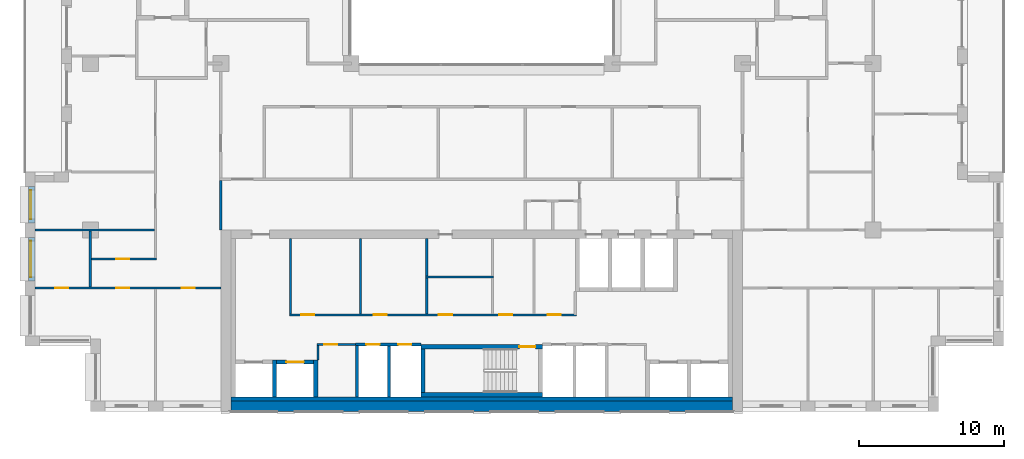
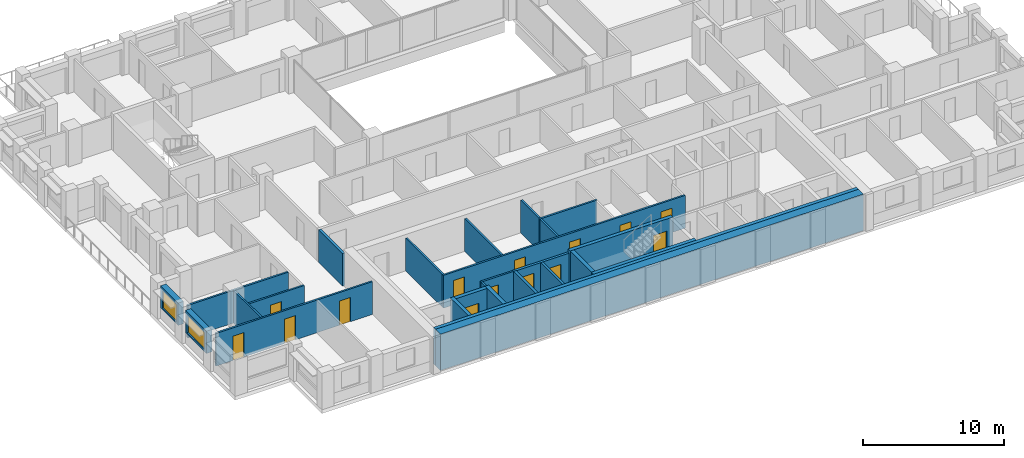
# One storey, part 8 of 15: 26 walls, 14 doors, 2 windows, 16 openings.
"""IFC4 building model written with IfcOpenShell, lengths in metres."""

from ifc_helpers import new_model, si_unit, direction, frame, frame_2d, origin, place, context, subcontext, project, spatial, rectangle, extrude, material, layer, layer_set, type_object, element, fill, save


model = new_model("IFC4")

# Units and contexts
model_context = context("Model", 3, precision=1e-05, world=origin(), true_north=direction((0.0, 1.0)))
body_context = subcontext(model_context, "Body", "Model", "MODEL_VIEW")
ifc_project = project(units=[si_unit("LENGTHUNIT", "METRE"), si_unit("AREAUNIT", "SQUARE_METRE"), si_unit("VOLUMEUNIT", "CUBIC_METRE"), si_unit("PLANEANGLEUNIT", "RADIAN"), si_unit("MASSUNIT", "GRAM", prefix="KILO")], contexts=[model_context])

# Site, building, storey
site_placement = place(None, origin())
site = spatial("IfcSite", under=ifc_project, at=site_placement, CompositionType="ELEMENT")
building_placement = place(site_placement, origin())
building = spatial("IfcBuilding", under=site, at=building_placement, Name="Brigalow Station Residences", CompositionType="ELEMENT")
storey_placement = place(building_placement, frame((0.0, 0.0, 147.60009765625)))
storey = spatial("IfcBuildingStorey", under=building, at=storey_placement, Name="L42", CompositionType="ELEMENT", Elevation=147.60009765625)

# Wall, opening, window
ifc_material_1 = material(Name="Clay brick masonry", Category="masonry")
ifc_layer_1 = layer(ifc_material_1, 0.449951171875)
ifc_layer_set_1 = layer_set([ifc_layer_1], Name="BRICK INFILL WALL 450")
wall_type_1 = type_object("IfcWallType", Name="BRICK INFILL WALL 450", PredefinedType="SOLIDWALL", material=ifc_layer_set_1)
wall_1_placement = place(storey_placement, frame((4.97509765625, 15.5, 0.89990234375), z_axis=(0.0, 0.0, 1.0), x_axis=(0.0, -1.0, 0.0)))
wall_1 = element("IfcWall", 1, at=wall_1_placement, inside=storey, type_object=wall_type_1, Name="L42/ewall/W-L42-45", PredefinedType="SOLIDWALL", context=body_context, shape_type="SweptSolid", body=[
    extrude(rectangle(XDim=2.5, YDim=0.449951171875, at=frame_2d((1.25, 0.0))), origin(), (0.0, 0.0, 1.0), 1.929931640625),
])
opening_1_placement = place(wall_1_placement, frame((0.25, 0.0, 0.14990234375)))
opening_1 = element("IfcOpeningElement", 2, at=opening_1_placement, cuts=wall_1, Name="Opening WT-7", PredefinedType="OPENING", context=body_context, shape_type="SweptSolid", body=[
    extrude(rectangle(XDim=2.0, YDim=1.5, at=frame_2d((1.0, 0.75))), frame((0.0, 0.23486328125, 0.0), z_axis=(0.0, -1.0, 0.0), x_axis=(1.0, 0.0, 0.0)), (0.0, 0.0, 1.0), 0.469970703125),
])
ifc_material_2 = material(Name="Anodised aluminium frame with double glazing", Category="aluminium")
window_type_1 = type_object("IfcWindowType", Name="WINDOW 2000x1500", PartitioningType="SINGLE_PANEL", PredefinedType="WINDOW", material=ifc_material_2)
window_1_placement = place(opening_1_placement, origin())
window_1 = element("IfcWindow", 3, at=window_1_placement, inside=storey, type_object=window_type_1, Name="L42/window/W-L42-45", OverallHeight=1.5, OverallWidth=2.0, PartitioningType="SINGLE_PANEL", PredefinedType="WINDOW", context=body_context, shape_type="SweptSolid", body=[
    extrude(rectangle(XDim=2.0, YDim=1.5, at=frame_2d((1.0, 0.75))), frame((0.0, -0.06494140625, 0.0), z_axis=(0.0, -1.0, 0.0), x_axis=(1.0, 0.0, 0.0)), (0.0, 0.0, 1.0), 0.06005859375),
])
fill(opening_1, window_1)

wall_2_placement = place(storey_placement, frame((4.97509765625, 12.0, 0.89990234375), z_axis=(0.0, 0.0, 1.0), x_axis=(0.0, -1.0, 0.0)))
wall_2 = element("IfcWall", 4, at=wall_2_placement, inside=storey, type_object=wall_type_1, Name="L42/ewall/W-L42-46", PredefinedType="SOLIDWALL", context=body_context, shape_type="SweptSolid", body=[
    extrude(rectangle(XDim=3.0, YDim=0.449951171875, at=frame_2d((1.5, 0.0))), origin(), (0.0, 0.0, 1.0), 1.929931640625),
])
opening_2_placement = place(wall_2_placement, frame((0.25, 0.0, 0.14990234375)))
opening_2 = element("IfcOpeningElement", 5, at=opening_2_placement, cuts=wall_2, Name="Opening WT-5", PredefinedType="OPENING", context=body_context, shape_type="SweptSolid", body=[
    extrude(rectangle(XDim=2.5, YDim=1.5, at=frame_2d((1.25, 0.75))), frame((0.0, 0.23486328125, 0.0), z_axis=(0.0, -1.0, 0.0), x_axis=(1.0, 0.0, 0.0)), (0.0, 0.0, 1.0), 0.469970703125),
])
ifc_material_3 = material(Name="Anodised aluminium frame with double glazing", Category="aluminium")
window_type_2 = type_object("IfcWindowType", Name="WINDOW 2500x1500", PartitioningType="SINGLE_PANEL", PredefinedType="WINDOW", material=ifc_material_3)
window_2_placement = place(opening_2_placement, origin())
window_2 = element("IfcWindow", 6, at=window_2_placement, inside=storey, type_object=window_type_2, Name="L42/window/W-L42-46", OverallHeight=1.5, OverallWidth=2.5, PartitioningType="SINGLE_PANEL", PredefinedType="WINDOW", context=body_context, shape_type="SweptSolid", body=[
    extrude(rectangle(XDim=2.5, YDim=1.5, at=frame_2d((1.25, 0.75))), frame((0.0, -0.06494140625, 0.0), z_axis=(0.0, -1.0, 0.0), x_axis=(1.0, 0.0, 0.0)), (0.0, 0.0, 1.0), 0.06005859375),
])
fill(opening_2, window_2)

# Wall
ifc_material_4 = material(Name="Concrete C65", Category="concrete")
ifc_layer_2 = layer(ifc_material_4, 0.300048828125)
ifc_layer_set_2 = layer_set([ifc_layer_2], Name="CORE SHEAR WALL 300 C65")
wall_type_2 = type_object("IfcWallType", Name="CORE SHEAR WALL 300 C65", PredefinedType="SHEAR", material=ifc_layer_set_2)
wall_3_placement = place(storey_placement, frame((18.699951171875, 0.85009765625, 0.0), z_axis=(0.0, 0.0, 1.0), x_axis=(1.0, 0.0, 0.0)))
element("IfcWall", 7, at=wall_3_placement, inside=storey, type_object=wall_type_2, Name="CORE WALL LIN-S L42", PredefinedType="SHEAR", context=body_context, shape_type="SweptSolid", body=[
    extrude(rectangle(XDim=34.60009765625, YDim=0.300048828125, at=frame_2d((17.300048828125, 0.0))), origin(), (0.0, 0.0, 1.0), 3.14990234375),
])

# Wall, opening, door
wall_4_placement = place(storey_placement, frame((21.85009765625, 3.39990234375, 0.0), z_axis=(0.0, 0.0, 1.0), x_axis=(1.0, 0.0, 0.0)))
wall_4 = element("IfcWall", 8, at=wall_4_placement, inside=storey, type_object=wall_type_2, Name="CORE WALL SH-C2-N L42", PredefinedType="SHEAR", context=body_context, shape_type="SweptSolid", body=[
    extrude(rectangle(XDim=2.5498046875, YDim=0.300048828125, at=frame_2d((1.27490234375, 0.0))), origin(), (0.0, 0.0, 1.0), 3.14990234375),
])
opening_3_placement = place(wall_4_placement, frame((0.675048828125, 0.0, 0.0)))
opening_3 = element("IfcOpeningElement", 9, at=opening_3_placement, cuts=wall_4, Name="Opening LD-LB2", PredefinedType="OPENING", context=body_context, shape_type="SweptSolid", body=[
    extrude(rectangle(XDim=1.199951171875, YDim=2.10009765625, at=frame_2d((0.60009765625, 1.050048828125))), frame((0.0, 0.16015625, 0.0), z_axis=(0.0, -1.0, 0.0), x_axis=(1.0, 0.0, 0.0)), (0.0, 0.0, 1.0), 0.320068359375),
])
ifc_material_5 = material(Name="Stainless steel sliding door leaves", Category="steel")
door_type_1 = type_object("IfcDoorType", Name="LIFT LANDING DOOR 1200 x 2100", OperationType="DOUBLE_DOOR_SLIDING", PredefinedType="DOOR", material=ifc_material_5)
door_1_placement = place(opening_3_placement, origin())
door_1 = element("IfcDoor", 10, at=door_1_placement, inside=storey, type_object=door_type_1, Name="LANDING DOOR LB2", OperationType="DOUBLE_DOOR_SLIDING", OverallHeight=2.10009765625, OverallWidth=1.199951171875, PredefinedType="DOOR", context=body_context, shape_type="SweptSolid", body=[
    extrude(rectangle(XDim=1.199951171875, YDim=2.10009765625, at=frame_2d((0.60009765625, 1.050048828125))), frame((0.0, 0.02490234375, 0.0), z_axis=(0.0, -1.0, 0.0), x_axis=(1.0, 0.0, 0.0)), (0.0, 0.0, 1.0), 0.050048828125),
])
fill(opening_3, door_1)

# Walls
for number, where, z_axis, x_axis, name in (
    (11, (21.699951171875, 1.0, 0.0), (0.0, 0.0, 1.0), (0.0, 1.0, 0.0), "CORE WALL SH-C2-W L42"),
    (12, (24.550048828125, 1.0, 0.0), (0.0, 0.0, 1.0), (0.0, 1.0, 0.0), "CORE WALL SH-C2-E L42"),
):
    element("IfcWall", number, at=place(storey_placement, frame(where, z_axis=z_axis, x_axis=x_axis)), inside=storey, type_object=wall_type_2, Name=name, PredefinedType="SHEAR", context=body_context, shape_type="SweptSolid", body=[
        extrude(rectangle(XDim=2.550048828125, YDim=0.300048828125, at=frame_2d((1.27490234375, 0.0))), origin(), (0.0, 0.0, 1.0), 3.14990234375),
    ])
wall_5_placement = place(storey_placement, frame((31.800048828125, 1.14990234375, 0.0), z_axis=(0.0, 0.0, 1.0), x_axis=(1.0, 0.0, 0.0)))
element("IfcWall", 13, at=wall_5_placement, inside=storey, type_object=wall_type_2, Name="CORE WALL ST-S2-S L42", PredefinedType="SHEAR", context=body_context, shape_type="SweptSolid", body=[
    extrude(rectangle(XDim=8.39990234375, YDim=0.300048828125, at=frame_2d((4.199951171875, 0.0))), origin(), (0.0, 0.0, 1.0), 3.14990234375),
])

# Wall, opening, door
wall_6_placement = place(storey_placement, frame((31.800048828125, 4.449951171875, 0.0), z_axis=(0.0, 0.0, 1.0), x_axis=(1.0, 0.0, 0.0)))
wall_6 = element("IfcWall", 14, at=wall_6_placement, inside=storey, type_object=wall_type_2, Name="CORE WALL ST-S2-N L42", PredefinedType="SHEAR", context=body_context, shape_type="SweptSolid", body=[
    extrude(rectangle(XDim=8.39990234375, YDim=0.300048828125, at=frame_2d((4.199951171875, 0.0))), origin(), (0.0, 0.0, 1.0), 3.14990234375),
])
opening_4_placement = place(wall_6_placement, frame((6.800048828125, 0.0, 0.0)))
opening_4 = element("IfcOpeningElement", 15, at=opening_4_placement, cuts=wall_6, Name="Opening D-5001", PredefinedType="OPENING", context=body_context, shape_type="SweptSolid", body=[
    extrude(rectangle(XDim=1.10009765625, YDim=2.10009765625, at=frame_2d((0.550048828125, 1.050048828125))), frame((0.0, 0.16015625, 0.0), z_axis=(0.0, -1.0, 0.0), x_axis=(1.0, 0.0, 0.0)), (0.0, 0.0, 1.0), 0.320068359375),
])
ifc_material_6 = material(Name="Steel fire door leaf in steel frame", Category="steel")
door_type_2 = type_object("IfcDoorType", Name="STAIR DOOR 1100 x 2100 FD60S", OperationType="SINGLE_SWING_LEFT", PredefinedType="DOOR", material=ifc_material_6)
door_2_placement = place(opening_4_placement, frame((1.10009765625, 0.0, 0.0), z_axis=(0.0, 0.0, 1.0), x_axis=(-1.0, 0.0, 0.0)))
door_2 = element("IfcDoor", 16, at=door_2_placement, inside=storey, type_object=door_type_2, Name="D-5001", OperationType="SINGLE_SWING_LEFT", OverallHeight=2.10009765625, OverallWidth=1.10009765625, PredefinedType="DOOR", context=body_context, shape_type="SweptSolid", body=[
    extrude(rectangle(XDim=1.10009765625, YDim=2.10009765625, at=frame_2d((0.550048828125, 1.050048828125))), frame((0.0, 0.02490234375, 0.0), z_axis=(0.0, -1.0, 0.0), x_axis=(1.0, 0.0, 0.0)), (0.0, 0.0, 1.0), 0.050048828125),
])
fill(opening_4, door_2)

# Walls
wall_7_placement = place(storey_placement, frame((31.949951171875, 1.300048828125, 0.0), z_axis=(0.0, 0.0, 1.0), x_axis=(0.0, 1.0, 0.0)))
element("IfcWall", 17, at=wall_7_placement, inside=storey, type_object=wall_type_2, Name="CORE WALL ST-S2-W L42", PredefinedType="SHEAR", context=body_context, shape_type="SweptSolid", body=[
    extrude(rectangle(XDim=3.0, YDim=0.300048828125, at=frame_2d((1.5, 0.0))), origin(), (0.0, 0.0, 1.0), 3.14990234375),
])
ifc_material_7 = material(Name="Concrete C65", Category="concrete")
ifc_layer_3 = layer(ifc_material_7, 0.699951171875)
ifc_layer_set_3 = layer_set([ifc_layer_3], Name="CORE SHEAR WALL 700 C65")
wall_type_3 = type_object("IfcWallType", Name="CORE SHEAR WALL 700 C65", PredefinedType="SHEAR", material=ifc_layer_set_3)
wall_8_placement = place(storey_placement, frame((18.699951171875, 0.35009765625, 0.0), z_axis=(0.0, 0.0, 1.0), x_axis=(1.0, 0.0, 0.0)))
element("IfcWall", 18, at=wall_8_placement, inside=storey, type_object=wall_type_3, Name="CORE WALL OUT-S L42", PredefinedType="SHEAR", context=body_context, shape_type="SweptSolid", body=[
    extrude(rectangle(XDim=34.60009765625, YDim=0.699951171875, at=frame_2d((17.300048828125, 0.0))), origin(), (0.0, 0.0, 1.0), 3.14990234375),
])

# Wall, openings, doors
ifc_material_8 = material(Name="Concrete blockwork", Category="masonry")
ifc_layer_4 = layer(ifc_material_8, 0.199951171875)
ifc_layer_set_4 = layer_set([ifc_layer_4], Name="FIRE RATED CORE PARTITION 200")
wall_type_4 = type_object("IfcWallType", Name="FIRE RATED CORE PARTITION 200", PredefinedType="PARTITIONING", material=ifc_layer_set_4)
wall_9_placement = place(storey_placement, frame((27.300048828125, 4.60009765625, 0.0), z_axis=(0.0, 0.0, 1.0), x_axis=(1.0, 0.0, 0.0)))
wall_9 = element("IfcWall", 19, at=wall_9_placement, inside=storey, type_object=wall_type_4, Name="PW-5017", PredefinedType="PARTITIONING", context=body_context, shape_type="SweptSolid", body=[
    extrude(rectangle(XDim=4.5, YDim=0.199951171875, at=frame_2d((2.25, 0.0))), origin(), (0.0, 0.0, 1.0), 2.829833984375),
])
opening_5_placement = place(wall_9_placement, frame((0.75, 0.0, 0.0)))
opening_5 = element("IfcOpeningElement", 20, at=opening_5_placement, cuts=wall_9, Name="Opening D-5007", PredefinedType="OPENING", context=body_context, shape_type="SweptSolid", body=[
    extrude(rectangle(XDim=0.89990234375, YDim=2.10009765625, at=frame_2d((0.449951171875, 1.050048828125))), frame((0.0, 0.10986328125, 0.0), z_axis=(0.0, -1.0, 0.0), x_axis=(1.0, 0.0, 0.0)), (0.0, 0.0, 1.0), 0.219970703125),
])
opening_6_placement = place(wall_9_placement, frame((2.949951171875, 0.0, 0.0)))
opening_6 = element("IfcOpeningElement", 21, at=opening_6_placement, cuts=wall_9, Name="Opening D-5008", PredefinedType="OPENING", context=body_context, shape_type="SweptSolid", body=[
    extrude(rectangle(XDim=0.89990234375, YDim=2.10009765625, at=frame_2d((0.449951171875, 1.050048828125))), frame((0.0, 0.10986328125, 0.0), z_axis=(0.0, -1.0, 0.0), x_axis=(1.0, 0.0, 0.0)), (0.0, 0.0, 1.0), 0.219970703125),
])
ifc_material_9 = material(Name="Steel fire door leaf in steel frame", Category="steel")
door_type_3 = type_object("IfcDoorType", Name="RISER ACCESS DOOR 900 x 2100 FD120", OperationType="SINGLE_SWING_LEFT", PredefinedType="DOOR", material=ifc_material_9)
door_3_placement = place(opening_5_placement, frame((0.89990234375, 0.0, 0.0), z_axis=(0.0, 0.0, 1.0), x_axis=(-1.0, 0.0, 0.0)))
door_3 = element("IfcDoor", 22, at=door_3_placement, inside=storey, type_object=door_type_3, Name="D-5007", OperationType="SINGLE_SWING_RIGHT", OverallHeight=2.10009765625, OverallWidth=0.89990234375, PredefinedType="DOOR", context=body_context, shape_type="SweptSolid", body=[
    extrude(rectangle(XDim=0.89990234375, YDim=2.10009765625, at=frame_2d((0.449951171875, 1.050048828125))), frame((0.0, 0.02490234375, 0.0), z_axis=(0.0, -1.0, 0.0), x_axis=(1.0, 0.0, 0.0)), (0.0, 0.0, 1.0), 0.050048828125),
])
fill(opening_5, door_3)
door_4_placement = place(opening_6_placement, frame((0.89990234375, 0.0, 0.0), z_axis=(0.0, 0.0, 1.0), x_axis=(-1.0, 0.0, 0.0)))
door_4 = element("IfcDoor", 23, at=door_4_placement, inside=storey, type_object=door_type_3, Name="D-5008", OperationType="SINGLE_SWING_RIGHT", OverallHeight=2.10009765625, OverallWidth=0.89990234375, PredefinedType="DOOR", context=body_context, shape_type="SweptSolid", body=[
    extrude(rectangle(XDim=0.89990234375, YDim=2.10009765625, at=frame_2d((0.449951171875, 1.050048828125))), frame((0.0, 0.02490234375, 0.0), z_axis=(0.0, -1.0, 0.0), x_axis=(1.0, 0.0, 0.0)), (0.0, 0.0, 1.0), 0.050048828125),
])
fill(opening_6, door_4)

# Walls
wall_10_placement = place(storey_placement, frame((27.39990234375, 1.0, 0.0), z_axis=(0.0, 0.0, 1.0), x_axis=(0.0, 1.0, 0.0)))
element("IfcWall", 24, at=wall_10_placement, inside=storey, type_object=wall_type_4, Name="PW-5027", PredefinedType="PARTITIONING", context=body_context, shape_type="SweptSolid", body=[
    extrude(rectangle(XDim=3.52490234375, YDim=0.199951171875, at=frame_2d((1.762451171875, 0.0))), origin(), (0.0, 0.0, 1.0), 2.829833984375),
])
wall_11_placement = place(storey_placement, frame((29.60009765625, 1.0, 0.0), z_axis=(0.0, 0.0, 1.0), x_axis=(0.0, 1.0, 0.0)))
element("IfcWall", 25, at=wall_11_placement, inside=storey, type_object=wall_type_4, Name="PW-5006", PredefinedType="PARTITIONING", context=body_context, shape_type="SweptSolid", body=[
    extrude(rectangle(XDim=3.5, YDim=0.199951171875, at=frame_2d((1.75, 0.0))), origin(), (0.0, 0.0, 1.0), 2.829833984375),
])
wall_12_placement = place(storey_placement, frame((18.0, 12.5, 0.0), z_axis=(0.0, 0.0, 1.0), x_axis=(0.0, 1.0, 0.0)))
element("IfcWall", 26, at=wall_12_placement, inside=storey, type_object=wall_type_4, Name="PW-5013", PredefinedType="PARTITIONING", context=body_context, shape_type="SweptSolid", body=[
    extrude(rectangle(XDim=3.39990234375, YDim=0.199951171875, at=frame_2d((1.699951171875, 0.0))), origin(), (0.0, 0.0, 1.0), 2.829833984375),
])

# Wall, openings, doors
ifc_material_10 = material(Name="Plasterboard on steel stud partition", Category="steel")
ifc_layer_5 = layer(ifc_material_10, 0.14990234375)
ifc_layer_set_5 = layer_set([ifc_layer_5], Name="FLAT PARTITION 150")
wall_type_5 = type_object("IfcWallType", Name="FLAT PARTITION 150", PredefinedType="PARTITIONING", material=ifc_layer_set_5)
wall_13_placement = place(storey_placement, frame((5.199951171875, 8.5, 0.0), z_axis=(0.0, 0.0, 1.0), x_axis=(1.0, 0.0, 0.0)))
wall_13 = element("IfcWall", 27, at=wall_13_placement, inside=storey, type_object=wall_type_5, Name="PW-3A09", PredefinedType="PARTITIONING", context=body_context, shape_type="SweptSolid", body=[
    extrude(rectangle(XDim=12.800048828125, YDim=0.14990234375, at=frame_2d((6.39990234375, 0.0))), origin(), (0.0, 0.0, 1.0), 2.829833984375),
])
opening_7_placement = place(wall_13_placement, frame((10.10009765625, 0.0, 0.0)))
opening_7 = element("IfcOpeningElement", 28, at=opening_7_placement, cuts=wall_13, Name="Opening D-3A03", PredefinedType="OPENING", context=body_context, shape_type="SweptSolid", body=[
    extrude(rectangle(XDim=0.89990234375, YDim=2.10009765625, at=frame_2d((0.449951171875, 1.050048828125))), frame((0.0, 0.0849609375, 0.0), z_axis=(0.0, -1.0, 0.0), x_axis=(1.0, 0.0, 0.0)), (0.0, 0.0, 1.0), 0.169921875),
])
opening_8_placement = place(wall_13_placement, frame((5.60009765625, 0.0, 0.0)))
opening_8 = element("IfcOpeningElement", 29, at=opening_8_placement, cuts=wall_13, Name="Opening D-3A04", PredefinedType="OPENING", context=body_context, shape_type="SweptSolid", body=[
    extrude(rectangle(XDim=0.89990234375, YDim=2.10009765625, at=frame_2d((0.449951171875, 1.050048828125))), frame((0.0, 0.0849609375, 0.0), z_axis=(0.0, -1.0, 0.0), x_axis=(1.0, 0.0, 0.0)), (0.0, 0.0, 1.0), 0.169921875),
])
opening_9_placement = place(wall_13_placement, frame((1.375, 0.0, 0.0)))
opening_9 = element("IfcOpeningElement", 30, at=opening_9_placement, cuts=wall_13, Name="Opening D-3A05", PredefinedType="OPENING", context=body_context, shape_type="SweptSolid", body=[
    extrude(rectangle(XDim=0.89990234375, YDim=2.10009765625, at=frame_2d((0.449951171875, 1.050048828125))), frame((0.0, 0.0849609375, 0.0), z_axis=(0.0, -1.0, 0.0), x_axis=(1.0, 0.0, 0.0)), (0.0, 0.0, 1.0), 0.169921875),
])
ifc_material_11 = material(Name="Solid-core timber door leaf", Category="wood")
door_type_4 = type_object("IfcDoorType", Name="INTERNAL DOOR 900 x 2100", OperationType="SINGLE_SWING_LEFT", PredefinedType="DOOR", material=ifc_material_11)
door_5_placement = place(opening_7_placement, frame((0.89990234375, 0.0, 0.0), z_axis=(0.0, 0.0, 1.0), x_axis=(-1.0, 0.0, 0.0)))
door_5 = element("IfcDoor", 31, at=door_5_placement, inside=storey, type_object=door_type_4, Name="D-3A03", OperationType="SINGLE_SWING_RIGHT", OverallHeight=2.10009765625, OverallWidth=0.89990234375, PredefinedType="DOOR", context=body_context, shape_type="SweptSolid", body=[
    extrude(rectangle(XDim=0.89990234375, YDim=2.10009765625, at=frame_2d((0.449951171875, 1.050048828125))), frame((0.0, 0.02490234375, 0.0), z_axis=(0.0, -1.0, 0.0), x_axis=(1.0, 0.0, 0.0)), (0.0, 0.0, 1.0), 0.050048828125),
])
fill(opening_7, door_5)
door_6_placement = place(opening_8_placement, frame((0.89990234375, 0.0, 0.0), z_axis=(0.0, 0.0, 1.0), x_axis=(-1.0, 0.0, 0.0)))
door_6 = element("IfcDoor", 32, at=door_6_placement, inside=storey, type_object=door_type_4, Name="D-3A04", OperationType="SINGLE_SWING_LEFT", OverallHeight=2.10009765625, OverallWidth=0.89990234375, PredefinedType="DOOR", context=body_context, shape_type="SweptSolid", body=[
    extrude(rectangle(XDim=0.89990234375, YDim=2.10009765625, at=frame_2d((0.449951171875, 1.050048828125))), frame((0.0, 0.02490234375, 0.0), z_axis=(0.0, -1.0, 0.0), x_axis=(1.0, 0.0, 0.0)), (0.0, 0.0, 1.0), 0.050048828125),
])
fill(opening_8, door_6)
door_7_placement = place(opening_9_placement, origin())
door_7 = element("IfcDoor", 33, at=door_7_placement, inside=storey, type_object=door_type_4, Name="D-3A05", OperationType="SINGLE_SWING_LEFT", OverallHeight=2.10009765625, OverallWidth=0.89990234375, PredefinedType="DOOR", context=body_context, shape_type="SweptSolid", body=[
    extrude(rectangle(XDim=0.89990234375, YDim=2.10009765625, at=frame_2d((0.449951171875, 1.050048828125))), frame((0.0, 0.02490234375, 0.0), z_axis=(0.0, -1.0, 0.0), x_axis=(1.0, 0.0, 0.0)), (0.0, 0.0, 1.0), 0.050048828125),
])
fill(opening_9, door_7)

# Wall
wall_14_placement = place(storey_placement, frame((5.199951171875, 12.5, 0.0), z_axis=(0.0, 0.0, 1.0), x_axis=(1.0, 0.0, 0.0)))
element("IfcWall", 34, at=wall_14_placement, inside=storey, type_object=wall_type_5, Name="PW-3A11", PredefinedType="PARTITIONING", context=body_context, shape_type="SweptSolid", body=[
    extrude(rectangle(XDim=8.22509765625, YDim=0.14990234375, at=frame_2d((4.112548828125, 0.0))), origin(), (0.0, 0.0, 1.0), 2.829833984375),
])

# Wall, opening, door
wall_15_placement = place(storey_placement, frame((9.074951171875, 10.5, 0.0), z_axis=(0.0, 0.0, 1.0), x_axis=(1.0, 0.0, 0.0)))
wall_15 = element("IfcWall", 35, at=wall_15_placement, inside=storey, type_object=wall_type_5, Name="PW-3A13", PredefinedType="PARTITIONING", context=body_context, shape_type="SweptSolid", body=[
    extrude(rectangle(XDim=4.5, YDim=0.14990234375, at=frame_2d((2.25, 0.0))), origin(), (0.0, 0.0, 1.0), 2.829833984375),
])
opening_10_placement = place(wall_15_placement, frame((1.72509765625, 0.0, 0.0)))
opening_10 = element("IfcOpeningElement", 36, at=opening_10_placement, cuts=wall_15, Name="Opening D-3A06", PredefinedType="OPENING", context=body_context, shape_type="SweptSolid", body=[
    extrude(rectangle(XDim=0.89990234375, YDim=2.10009765625, at=frame_2d((0.449951171875, 1.050048828125))), frame((0.0, 0.0849609375, 0.0), z_axis=(0.0, -1.0, 0.0), x_axis=(1.0, 0.0, 0.0)), (0.0, 0.0, 1.0), 0.169921875),
])
door_8_placement = place(opening_10_placement, origin())
door_8 = element("IfcDoor", 37, at=door_8_placement, inside=storey, type_object=door_type_4, Name="D-3A06", OperationType="SINGLE_SWING_RIGHT", OverallHeight=2.10009765625, OverallWidth=0.89990234375, PredefinedType="DOOR", context=body_context, shape_type="SweptSolid", body=[
    extrude(rectangle(XDim=0.89990234375, YDim=2.10009765625, at=frame_2d((0.449951171875, 1.050048828125))), frame((0.0, 0.02490234375, 0.0), z_axis=(0.0, -1.0, 0.0), x_axis=(1.0, 0.0, 0.0)), (0.0, 0.0, 1.0), 0.050048828125),
])
fill(opening_10, door_8)

# Wall
wall_16_placement = place(storey_placement, frame((9.0, 8.574951171875, 0.0), z_axis=(0.0, 0.0, 1.0), x_axis=(0.0, 1.0, 0.0)))
element("IfcWall", 38, at=wall_16_placement, inside=storey, type_object=wall_type_5, Name="PW-3A41", PredefinedType="PARTITIONING", context=body_context, shape_type="SweptSolid", body=[
    extrude(rectangle(XDim=3.85009765625, YDim=0.14990234375, at=frame_2d((1.925048828125, 0.0))), origin(), (0.0, 0.0, 1.0), 2.829833984375),
])

# Wall, opening, door
ifc_material_12 = material(Name="Plasterboard on steel studs", Category="steel")
ifc_layer_6 = layer(ifc_material_12, 0.14990234375)
ifc_layer_set_6 = layer_set([ifc_layer_6], Name="SERVICE ROOM PARTITION 150")
wall_type_6 = type_object("IfcWallType", Name="SERVICE ROOM PARTITION 150", PredefinedType="PARTITIONING", material=ifc_layer_set_6)
wall_17_placement = place(storey_placement, frame((24.625, 4.60009765625, 0.0), z_axis=(0.0, 0.0, 1.0), x_axis=(1.0, 0.0, 0.0)))
wall_17 = element("IfcWall", 39, at=wall_17_placement, inside=storey, type_object=wall_type_6, Name="PW-5155", PredefinedType="PARTITIONING", context=body_context, shape_type="SweptSolid", body=[
    extrude(rectangle(XDim=2.675048828125, YDim=0.14990234375, at=frame_2d((1.33740234375, 0.0))), origin(), (0.0, 0.0, 1.0), 2.829833984375),
])
opening_11_placement = place(wall_17_placement, frame((0.52490234375, 0.0, 0.0)))
opening_11 = element("IfcOpeningElement", 40, at=opening_11_placement, cuts=wall_17, Name="Opening D-5087", PredefinedType="OPENING", context=body_context, shape_type="SweptSolid", body=[
    extrude(rectangle(XDim=0.89990234375, YDim=2.10009765625, at=frame_2d((0.449951171875, 1.050048828125))), frame((0.0, 0.0849609375, 0.0), z_axis=(0.0, -1.0, 0.0), x_axis=(1.0, 0.0, 0.0)), (0.0, 0.0, 1.0), 0.169921875),
])
ifc_material_13 = material(Name="Steel door leaf in steel frame", Category="steel")
door_type_5 = type_object("IfcDoorType", Name="SERVICE ROOM DOOR 900 x 2100 FD60", OperationType="SINGLE_SWING_LEFT", PredefinedType="DOOR", material=ifc_material_13)
door_9_placement = place(opening_11_placement, frame((0.89990234375, 0.0, 0.0), z_axis=(0.0, 0.0, 1.0), x_axis=(-1.0, 0.0, 0.0)))
door_9 = element("IfcDoor", 41, at=door_9_placement, inside=storey, type_object=door_type_5, Name="D-5087", OperationType="SINGLE_SWING_RIGHT", OverallHeight=2.10009765625, OverallWidth=0.89990234375, PredefinedType="DOOR", context=body_context, shape_type="SweptSolid", body=[
    extrude(rectangle(XDim=0.89990234375, YDim=2.10009765625, at=frame_2d((0.449951171875, 1.050048828125))), frame((0.0, 0.02490234375, 0.0), z_axis=(0.0, -1.0, 0.0), x_axis=(1.0, 0.0, 0.0)), (0.0, 0.0, 1.0), 0.050048828125),
])
fill(opening_11, door_9)

# Wall, openings, doors
wall_18_placement = place(storey_placement, frame((22.72509765625, 6.64990234375, 0.0), z_axis=(0.0, 0.0, 1.0), x_axis=(1.0, 0.0, 0.0)))
wall_18 = element("IfcWall", 42, at=wall_18_placement, inside=storey, type_object=wall_type_6, Name="PW-5195", PredefinedType="PARTITIONING", context=body_context, shape_type="SweptSolid", body=[
    extrude(rectangle(XDim=19.7998046875, YDim=0.14990234375, at=frame_2d((9.89990234375, 0.0))), origin(), (0.0, 0.0, 1.0), 2.829833984375),
])
opening_12_placement = place(wall_18_placement, frame((0.824951171875, 0.0, 0.0)))
opening_12 = element("IfcOpeningElement", 43, at=opening_12_placement, cuts=wall_18, Name="Opening D-5110", PredefinedType="OPENING", context=body_context, shape_type="SweptSolid", body=[
    extrude(rectangle(XDim=0.89990234375, YDim=2.10009765625, at=frame_2d((0.449951171875, 1.050048828125))), frame((0.0, 0.0849609375, 0.0), z_axis=(0.0, -1.0, 0.0), x_axis=(1.0, 0.0, 0.0)), (0.0, 0.0, 1.0), 0.169921875),
])
opening_13_placement = place(wall_18_placement, frame((5.824951171875, 0.0, 0.0)))
opening_13 = element("IfcOpeningElement", 44, at=opening_13_placement, cuts=wall_18, Name="Opening D-5111", PredefinedType="OPENING", context=body_context, shape_type="SweptSolid", body=[
    extrude(rectangle(XDim=0.89990234375, YDim=2.10009765625, at=frame_2d((0.449951171875, 1.050048828125))), frame((0.0, 0.0849609375, 0.0), z_axis=(0.0, -1.0, 0.0), x_axis=(1.0, 0.0, 0.0)), (0.0, 0.0, 1.0), 0.169921875),
])
opening_14_placement = place(wall_18_placement, frame((10.324951171875, 0.0, 0.0)))
opening_14 = element("IfcOpeningElement", 45, at=opening_14_placement, cuts=wall_18, Name="Opening D-5112", PredefinedType="OPENING", context=body_context, shape_type="SweptSolid", body=[
    extrude(rectangle(XDim=0.89990234375, YDim=2.10009765625, at=frame_2d((0.449951171875, 1.050048828125))), frame((0.0, 0.0849609375, 0.0), z_axis=(0.0, -1.0, 0.0), x_axis=(1.0, 0.0, 0.0)), (0.0, 0.0, 1.0), 0.169921875),
])
opening_15_placement = place(wall_18_placement, frame((14.47509765625, 0.0, 0.0)))
opening_15 = element("IfcOpeningElement", 46, at=opening_15_placement, cuts=wall_18, Name="Opening D-5114", PredefinedType="OPENING", context=body_context, shape_type="SweptSolid", body=[
    extrude(rectangle(XDim=0.89990234375, YDim=2.10009765625, at=frame_2d((0.449951171875, 1.050048828125))), frame((0.0, 0.0849609375, 0.0), z_axis=(0.0, -1.0, 0.0), x_axis=(1.0, 0.0, 0.0)), (0.0, 0.0, 1.0), 0.169921875),
])
opening_16_placement = place(wall_18_placement, frame((17.824951171875, 0.0, 0.0)))
opening_16 = element("IfcOpeningElement", 47, at=opening_16_placement, cuts=wall_18, Name="Opening D-5115", PredefinedType="OPENING", context=body_context, shape_type="SweptSolid", body=[
    extrude(rectangle(XDim=0.89990234375, YDim=2.10009765625, at=frame_2d((0.449951171875, 1.050048828125))), frame((0.0, 0.0849609375, 0.0), z_axis=(0.0, -1.0, 0.0), x_axis=(1.0, 0.0, 0.0)), (0.0, 0.0, 1.0), 0.169921875),
])
door_10_placement = place(opening_12_placement, origin())
door_10 = element("IfcDoor", 48, at=door_10_placement, inside=storey, type_object=door_type_5, Name="D-5110", OperationType="SINGLE_SWING_LEFT", OverallHeight=2.10009765625, OverallWidth=0.89990234375, PredefinedType="DOOR", context=body_context, shape_type="SweptSolid", body=[
    extrude(rectangle(XDim=0.89990234375, YDim=2.10009765625, at=frame_2d((0.449951171875, 1.050048828125))), frame((0.0, 0.02490234375, 0.0), z_axis=(0.0, -1.0, 0.0), x_axis=(1.0, 0.0, 0.0)), (0.0, 0.0, 1.0), 0.050048828125),
])
fill(opening_12, door_10)
door_11_placement = place(opening_13_placement, origin())
door_11 = element("IfcDoor", 49, at=door_11_placement, inside=storey, type_object=door_type_5, Name="D-5111", OperationType="SINGLE_SWING_LEFT", OverallHeight=2.10009765625, OverallWidth=0.89990234375, PredefinedType="DOOR", context=body_context, shape_type="SweptSolid", body=[
    extrude(rectangle(XDim=0.89990234375, YDim=2.10009765625, at=frame_2d((0.449951171875, 1.050048828125))), frame((0.0, 0.02490234375, 0.0), z_axis=(0.0, -1.0, 0.0), x_axis=(1.0, 0.0, 0.0)), (0.0, 0.0, 1.0), 0.050048828125),
])
fill(opening_13, door_11)
door_12_placement = place(opening_14_placement, origin())
door_12 = element("IfcDoor", 50, at=door_12_placement, inside=storey, type_object=door_type_5, Name="D-5112", OperationType="SINGLE_SWING_LEFT", OverallHeight=2.10009765625, OverallWidth=0.89990234375, PredefinedType="DOOR", context=body_context, shape_type="SweptSolid", body=[
    extrude(rectangle(XDim=0.89990234375, YDim=2.10009765625, at=frame_2d((0.449951171875, 1.050048828125))), frame((0.0, 0.02490234375, 0.0), z_axis=(0.0, -1.0, 0.0), x_axis=(1.0, 0.0, 0.0)), (0.0, 0.0, 1.0), 0.050048828125),
])
fill(opening_14, door_12)
door_13_placement = place(opening_15_placement, origin())
door_13 = element("IfcDoor", 51, at=door_13_placement, inside=storey, type_object=door_type_5, Name="D-5114", OperationType="SINGLE_SWING_LEFT", OverallHeight=2.10009765625, OverallWidth=0.89990234375, PredefinedType="DOOR", context=body_context, shape_type="SweptSolid", body=[
    extrude(rectangle(XDim=0.89990234375, YDim=2.10009765625, at=frame_2d((0.449951171875, 1.050048828125))), frame((0.0, 0.02490234375, 0.0), z_axis=(0.0, -1.0, 0.0), x_axis=(1.0, 0.0, 0.0)), (0.0, 0.0, 1.0), 0.050048828125),
])
fill(opening_15, door_13)
door_14_placement = place(opening_16_placement, origin())
door_14 = element("IfcDoor", 52, at=door_14_placement, inside=storey, type_object=door_type_5, Name="D-5115", OperationType="SINGLE_SWING_LEFT", OverallHeight=2.10009765625, OverallWidth=0.89990234375, PredefinedType="DOOR", context=body_context, shape_type="SweptSolid", body=[
    extrude(rectangle(XDim=0.89990234375, YDim=2.10009765625, at=frame_2d((0.449951171875, 1.050048828125))), frame((0.0, 0.02490234375, 0.0), z_axis=(0.0, -1.0, 0.0), x_axis=(1.0, 0.0, 0.0)), (0.0, 0.0, 1.0), 0.050048828125),
])
fill(opening_16, door_14)

# Walls
wall_19_placement = place(storey_placement, frame((32.135009765625, 9.27001953125, 0.0), z_axis=(0.0, 0.0, 1.0), x_axis=(1.0, 0.0, 0.0)))
element("IfcWall", 53, at=wall_19_placement, inside=storey, type_object=wall_type_6, Name="PW-5196", PredefinedType="PARTITIONING", context=body_context, shape_type="SweptSolid", body=[
    extrude(rectangle(XDim=4.68994140625, YDim=0.14990234375, at=frame_2d((2.344970703125, 0.0))), origin(), (0.0, 0.0, 1.0), 2.829833984375),
])
wall_20_placement = place(storey_placement, frame((24.699951171875, 3.550048828125, 0.0), z_axis=(0.0, 0.0, 1.0), x_axis=(0.0, 1.0, 0.0)))
element("IfcWall", 54, at=wall_20_placement, inside=storey, type_object=wall_type_6, Name="PW-5157", PredefinedType="PARTITIONING", context=body_context, shape_type="SweptSolid", body=[
    extrude(rectangle(XDim=0.974853515625, YDim=0.14990234375, at=frame_2d((0.4873046875, 0.0))), origin(), (0.0, 0.0, 1.0), 2.829833984375),
])
for number, where, z_axis, x_axis, name in (
    (55, (22.800048828125, 6.72509765625, 0.0), (0.0, 0.0, 1.0), (0.0, 1.0, 0.0), "PW-5197"),
    (56, (27.6298828125, 6.72509765625, 0.0), (0.0, 0.0, 1.0), (0.0, 1.0, 0.0), "PW-5198"),
):
    element("IfcWall", number, at=place(storey_placement, frame(where, z_axis=z_axis, x_axis=x_axis)), inside=storey, type_object=wall_type_6, Name=name, PredefinedType="PARTITIONING", context=body_context, shape_type="SweptSolid", body=[
        extrude(rectangle(XDim=5.1748046875, YDim=0.14990234375, at=frame_2d((2.58740234375, 0.0))), origin(), (0.0, 0.0, 1.0), 2.829833984375),
    ])
wall_21_placement = place(storey_placement, frame((32.2099609375, 6.72509765625, 0.0), z_axis=(0.0, 0.0, 1.0), x_axis=(0.0, 1.0, 0.0)))
element("IfcWall", 57, at=wall_21_placement, inside=storey, type_object=wall_type_6, Name="PW-5199", PredefinedType="PARTITIONING", context=body_context, shape_type="SweptSolid", body=[
    extrude(rectangle(XDim=2.469970703125, YDim=0.14990234375, at=frame_2d((1.23486328125, 0.0))), origin(), (0.0, 0.0, 1.0), 2.829833984375),
])
wall_22_placement = place(storey_placement, frame((32.2099609375, 9.344970703125, 0.0), z_axis=(0.0, 0.0, 1.0), x_axis=(0.0, 1.0, 0.0)))
element("IfcWall", 58, at=wall_22_placement, inside=storey, type_object=wall_type_6, Name="PW-5202", PredefinedType="PARTITIONING", context=body_context, shape_type="SweptSolid", body=[
    extrude(rectangle(XDim=2.554931640625, YDim=0.14990234375, at=frame_2d((1.27734375, 0.0))), origin(), (0.0, 0.0, 1.0), 2.829833984375),
])

save(model, "model.ifc")
